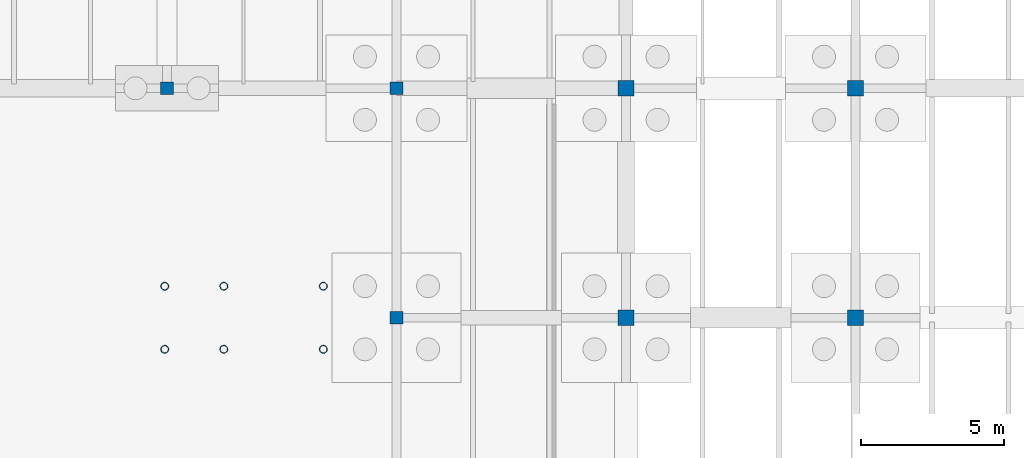
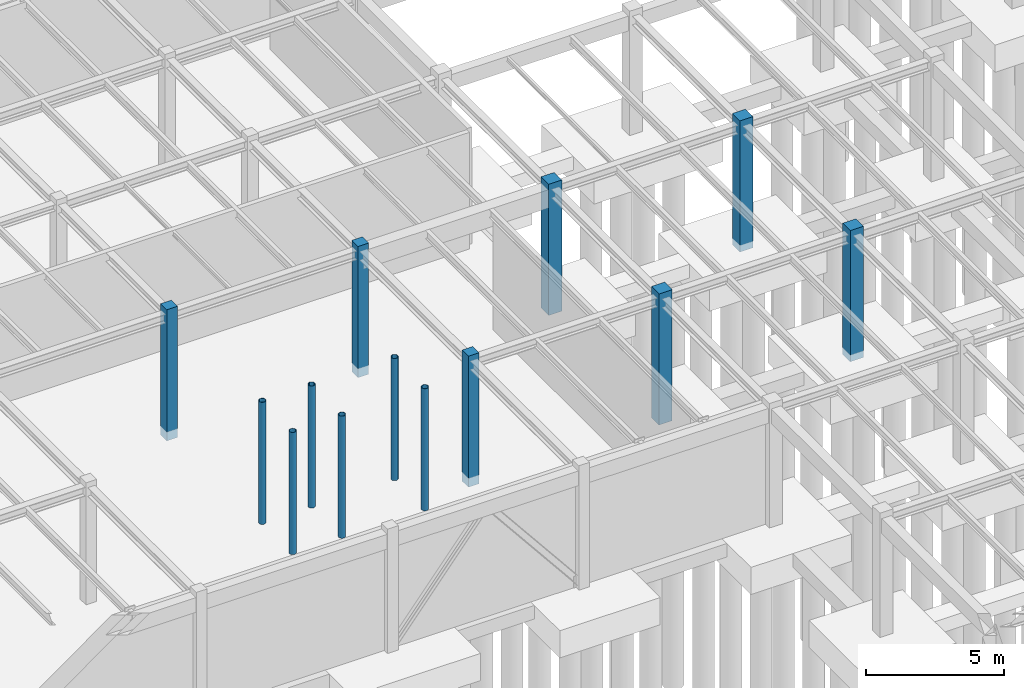
# One storey, part 20 of 71: 13 columns.
"""IFC4 building model written with IfcOpenShell, lengths in metres."""

import ifcopenshell
import ifcopenshell.guid

model = None  # the IFC model being written
_history = None  # IfcOwnerHistory: only IFC2X3 demands one
_inside = {}  # id of a spatial element -> (the spatial element, [elements in it])
_under = {}  # id of a project, library or spatial element -> (it, [spatial elements below it])
_declared = {}  # id of a project -> (the project, [libraries it declares])
_typed = {}  # id of a type object -> (the type object, [elements of that type])
_made_of = {}  # id of a material, layer set ... -> (it, [elements and type objects made of it])


def new_model(schema):
    """Start an empty IFC model of exactly this schema.

    Asked for "IFC4X3", IfcOpenShell would pick the latest addendum, in which some entities
    have other attributes; the version numbers below select the first issue.
    IFC2X3 requires an IfcOwnerHistory on every rooted entity: one is made here for all.
    """
    global model, _history
    if schema == "IFC4X3":
        model = ifcopenshell.file(schema_version=(4, 3, 0, 0))
    else:
        model = ifcopenshell.file(schema=schema)
    _inside.clear()
    _under.clear()
    _declared.clear()
    _typed.clear()
    _made_of.clear()
    _history = None
    if model.schema == "IFC2X3":
        org = make("IfcOrganization", Name="unknown")
        user = make(
            "IfcPersonAndOrganization",
            ThePerson=make("IfcPerson", FamilyName="unknown"),
            TheOrganization=org,
        )
        app = make(
            "IfcApplication",
            ApplicationDeveloper=org,
            Version="unknown",
            ApplicationFullName="unknown",
            ApplicationIdentifier="unknown",
        )
        _history = make(
            "IfcOwnerHistory",
            OwningUser=user,
            OwningApplication=app,
            ChangeAction="ADDED",
            CreationDate=0,
        )
    return model


def make(cls, **values):
    """One entity of the class cls with the attributes given. An attribute that is None is left unset."""
    return model.create_entity(
        cls, **{name: value for name, value in values.items() if value is not None}
    )


def rooted(cls, **values):
    """An entity with a GlobalId (a new one), such as an element, a storey or a relation."""
    return make(cls, GlobalId=ifcopenshell.guid.new(), OwnerHistory=_history, **values)


def si_unit(unit_type, name, prefix=None):
    """IfcSIUnit, for example si_unit("LENGTHUNIT", "METRE", prefix="MILLI")."""
    return make("IfcSIUnit", UnitType=unit_type, Prefix=prefix, Name=name)


def assignment(units):
    """IfcUnitAssignment: the units of a project."""
    return None if units is None else make("IfcUnitAssignment", Units=units)


def point(xyz):
    """IfcCartesianPoint."""
    return None if xyz is None else make("IfcCartesianPoint", Coordinates=xyz)


def direction(xyz):
    """IfcDirection."""
    return None if xyz is None else make("IfcDirection", DirectionRatios=xyz)


def frame(location, z_axis=None, x_axis=None):
    """IfcAxis2Placement3D, a coordinate frame: its origin and axes. An axis left out is left unset."""
    return make(
        "IfcAxis2Placement3D",
        Location=point(location),
        Axis=direction(z_axis),
        RefDirection=direction(x_axis),
    )


def frame_2d(location, x_axis=None):
    """IfcAxis2Placement2D, a coordinate frame in the plane: its origin and x axis."""
    return make(
        "IfcAxis2Placement2D", Location=point(location), RefDirection=direction(x_axis)
    )


def origin():
    """The frame at (0, 0, 0) with its axes left unset."""
    return frame((0.0, 0.0, 0.0))


def origin_2d():
    """The frame at (0, 0) in the plane with its x axis left unset."""
    return frame_2d((0.0, 0.0))


def place(relative_to, where):
    """IfcLocalPlacement: puts the frame where relative to a parent placement (None: the world)."""
    return make(
        "IfcLocalPlacement", PlacementRelTo=relative_to, RelativePlacement=where
    )


def context(
    kind, dimensions, precision=None, world=None, true_north=None, identifier=None
):
    """IfcGeometricRepresentationContext, for example the 3D "Model" context."""
    return make(
        "IfcGeometricRepresentationContext",
        ContextIdentifier=identifier,
        ContextType=kind,
        CoordinateSpaceDimension=dimensions,
        Precision=precision,
        WorldCoordinateSystem=world,
        TrueNorth=true_north,
    )


def subcontext(parent, identifier, kind, view, scale=None):
    """IfcGeometricRepresentationSubContext, for example "Body" below "Model"."""
    return make(
        "IfcGeometricRepresentationSubContext",
        ContextIdentifier=identifier,
        ContextType=kind,
        ParentContext=parent,
        TargetScale=scale,
        TargetView=view,
    )


def project(units=None, contexts=None):
    """IfcProject with its units and contexts."""
    return rooted(
        "IfcProject",
        Name="project",
        RepresentationContexts=contexts,
        UnitsInContext=assignment(units),
    )


def spatial(cls, under=None, at=None, **own):
    """A site, building, storey or space (cls), placed at a placement, below another one or the project."""
    s = rooted(cls, ObjectPlacement=at, **own)
    if under is not None:
        _under.setdefault(under.id(), (under, []))[1].append(s)
    return s


def profile(cls, at=None, kind="AREA", **sizes):
    """A parametric profile (cls). Its sizes go by their IFC names, for example OverallWidth=200.0."""
    return make(cls, ProfileType=kind, Position=at, **sizes)


def rectangle(**sizes):
    """IfcRectangleProfileDef."""
    return profile("IfcRectangleProfileDef", **sizes)


def hollow_circle(**sizes):
    """IfcCircleHollowProfileDef."""
    return profile("IfcCircleHollowProfileDef", **sizes)


def extrude(swept, where, along, depth):
    """IfcExtrudedAreaSolid: the profile swept, set in the frame where, extruded along a direction by depth."""
    return make(
        "IfcExtrudedAreaSolid",
        SweptArea=swept,
        Position=where,
        ExtrudedDirection=direction(along),
        Depth=depth,
    )


def shape(context_of_items, identifier, shape_type, items):
    """IfcShapeRepresentation: the items that make up one representation, for example the "Body"."""
    return make(
        "IfcShapeRepresentation",
        ContextOfItems=context_of_items,
        RepresentationIdentifier=identifier,
        RepresentationType=shape_type,
        Items=items,
    )


def material(Name=None, Category=None):
    """IfcMaterial."""
    return make("IfcMaterial", Name=Name, Category=Category)


def material_profile(
    of_material, cross_section, Name=None, Category=None, Priority=None
):
    """IfcMaterialProfile: a cross section and its material."""
    return make(
        "IfcMaterialProfile",
        Name=Name,
        Material=of_material,
        Profile=cross_section,
        Priority=Priority,
        Category=Category,
    )


def profile_set(profiles, Name=None, composite=None):
    """IfcMaterialProfileSet."""
    return make(
        "IfcMaterialProfileSet",
        Name=Name,
        MaterialProfiles=profiles,
        CompositeProfile=composite,
    )


def made_of(thing, what):
    """Note that an element or type object is made of a material, layer set ...; save() writes the relation."""
    if what is not None:
        _made_of.setdefault(what.id(), (what, []))[1].append(thing)
    return thing


def type_object(cls, material=None, **own):
    """A type object (cls), such as IfcWallType, which elements share."""
    return made_of(rooted(cls, **own), material)


def element(
    cls,
    number,
    at=None,
    inside=None,
    cuts=None,
    type_object=None,
    material=None,
    context=None,
    identifier="Body",
    shape_type=None,
    held_by="IfcProductDefinitionShape",
    body=None,
    shapes=None,
    **own,
):
    """One element of the class cls, such as IfcWall. Its Tag is "e" and its number.

    at: its placement. inside: the storey or other place that contains it. cuts: it is an
    opening in that element (IfcRelVoidsElement). A single representation is given by context,
    identifier, shape_type and body (its items); several are given by shapes. held_by: the class
    of the entity that holds the representations. save() writes the other relations.
    """
    e = rooted(cls, Tag="e%d" % number, ObjectPlacement=at, **own)
    if body is not None:
        shapes = [shape(context, identifier, shape_type, body)]
    if shapes is not None:
        e.Representation = make(held_by, Representations=shapes)
    if inside is not None:
        _inside.setdefault(inside.id(), (inside, []))[1].append(e)
    if cuts is not None:
        rooted(
            "IfcRelVoidsElement", RelatingBuildingElement=cuts, RelatedOpeningElement=e
        )
    if type_object is not None:
        _typed.setdefault(type_object.id(), (type_object, []))[1].append(e)
    return made_of(e, material)


def aggregate(whole, parts):
    """IfcRelAggregates: a whole, such as a stair, and the parts it consists of."""
    return rooted("IfcRelAggregates", RelatingObject=whole, RelatedObjects=parts)


def save(model, path):
    """Write the relations noted so far, then the file.

    IfcRelAggregates (storeys below a building ...), IfcRelContainedInSpatialStructure (elements
    in a storey), IfcRelDefinesByType, IfcRelAssociatesMaterial and IfcRelDeclares: one each for
    every whole, place, type object, material and project.
    """
    for whole, parts in _under.values():
        aggregate(whole, parts)
    for where, things in _inside.values():
        rooted(
            "IfcRelContainedInSpatialStructure",
            RelatedElements=things,
            RelatingStructure=where,
        )
    for kind, things in _typed.values():
        rooted("IfcRelDefinesByType", RelatedObjects=things, RelatingType=kind)
    for what, things in _made_of.values():
        rooted("IfcRelAssociatesMaterial", RelatedObjects=things, RelatingMaterial=what)
    for by, libraries in _declared.values():
        rooted("IfcRelDeclares", RelatingContext=by, RelatedDefinitions=libraries)
    model.write(path)


model = new_model("IFC4")

# Units and contexts
model_context = context("Model", 3, precision=1e-05, world=origin(), true_north=direction((0.0, 1.0)))
body_context = subcontext(model_context, "Body", "Model", "MODEL_VIEW")
ifc_project = project(units=[si_unit("LENGTHUNIT", "METRE"), si_unit("AREAUNIT", "SQUARE_METRE"), si_unit("VOLUMEUNIT", "CUBIC_METRE"), si_unit("PLANEANGLEUNIT", "RADIAN"), si_unit("MASSUNIT", "GRAM", prefix="KILO")], contexts=[model_context])

# Site, building, storey
site_placement = place(None, origin())
site = spatial("IfcSite", under=ifc_project, at=site_placement, CompositionType="ELEMENT")
building_placement = place(site_placement, origin())
building = spatial("IfcBuilding", under=site, at=building_placement, Name="Sundkrona Museum", CompositionType="ELEMENT")
storey_placement = place(building_placement, frame((0.0, 0.0, -5.39990234375)))
storey = spatial("IfcBuildingStorey", under=building, at=storey_placement, Name="B1", CompositionType="ELEMENT", Elevation=-5.39990234375)

# Columns
ifc_material_1 = material(Name="Steel S355J2", Category="steel")
ifc_material_profile_1 = material_profile(ifc_material_1, hollow_circle(Radius=0.136474609375, WallThickness=0.012451171875, at=origin_2d()), Name="CHS 273.0x12.5")
ifc_profile_set_1 = profile_set([ifc_material_profile_1], Name="Steel S355J2")
column_type_1 = type_object("IfcColumnType", Name="C-CHS273", PredefinedType="COLUMN", material=ifc_profile_set_1)
for number, where, z_axis, x_axis, name in (
    (1, (63.919921875, 84.89990234375, 0.0), (0.0, 0.0, 1.0), (1.0, 0.0, 0.0), "B1 Feature Stair FS-6 Column S1-1"),
    (2, (63.919921875, 87.10009765625, 0.0), (0.0, 0.0, 1.0), (1.0, 0.0, 0.0), "B1 Feature Stair FS-6 Column S1-2"),
    (3, (65.97998046875, 84.89990234375, 0.0), (0.0, 0.0, 1.0), (1.0, 0.0, 0.0), "B1 Feature Stair FS-6 Column S2-1"),
    (4, (65.97998046875, 87.10009765625, 0.0), (0.0, 0.0, 1.0), (1.0, 0.0, 0.0), "B1 Feature Stair FS-6 Column S2-2"),
    (5, (69.449951171875, 84.89990234375, 0.0), (0.0, 0.0, 1.0), (1.0, 0.0, 0.0), "B1 Feature Stair FS-6 Column S3-1"),
    (6, (69.449951171875, 87.10009765625, 0.0), (0.0, 0.0, 1.0), (1.0, 0.0, 0.0), "B1 Feature Stair FS-6 Column S3-2"),
):
    element("IfcColumn", number, at=place(storey_placement, frame(where, z_axis=z_axis, x_axis=x_axis)), inside=storey, type_object=column_type_1, Name=name, PredefinedType="COLUMN", context=body_context, shape_type="SweptSolid", body=[
        extrude(hollow_circle(Radius=0.136474609375, WallThickness=0.012451171875, at=origin_2d()), origin(), (0.0, 0.0, 1.0), 5.39990234375),
    ])
ifc_material_2 = material(Name="Concrete C40/50", Category="concrete")
ifc_material_profile_2 = material_profile(ifc_material_2, rectangle(XDim=0.449951171875, YDim=0.449951171875, at=origin_2d()), Name="RC 450x450")
ifc_profile_set_2 = profile_set([ifc_material_profile_2], Name="Concrete C40/50")
column_type_2 = type_object("IfcColumnType", Name="C-RC450", PredefinedType="COLUMN", material=ifc_profile_set_2)
for number, where, z_axis, x_axis, name in (
    (7, (64.0, 94.0, -0.400146484375), (0.0, 0.0, 1.0), (1.0, 0.0, 0.0), "B1 Column N/9"),
    (8, (72.0, 86.0, -0.400146484375), (0.0, 0.0, 1.0), (1.0, 0.0, 0.0), "B1 Column M/10"),
    (9, (72.0, 94.0, -0.400146484375), (0.0, 0.0, 1.0), (1.0, 0.0, 0.0), "B1 Column N/10"),
):
    element("IfcColumn", number, at=place(storey_placement, frame(where, z_axis=z_axis, x_axis=x_axis)), inside=storey, type_object=column_type_2, Name=name, PredefinedType="COLUMN", context=body_context, shape_type="SweptSolid", body=[
        extrude(rectangle(XDim=0.449951171875, YDim=0.449951171875, at=origin_2d()), origin(), (0.0, 0.0, 1.0), 5.800048828125),
    ])
ifc_material_profile_3 = material_profile(ifc_material_2, rectangle(XDim=0.550048828125, YDim=0.550048828125, at=origin_2d()), Name="RC 550x550")
ifc_profile_set_3 = profile_set([ifc_material_profile_3], Name="Concrete C40/50")
column_type_3 = type_object("IfcColumnType", Name="C-RC550", PredefinedType="COLUMN", material=ifc_profile_set_3)
for number, where, z_axis, x_axis, name in (
    (10, (80.0, 86.0, -0.400146484375), (0.0, 0.0, 1.0), (1.0, 0.0, 0.0), "B1 Column M/11"),
    (11, (80.0, 94.0, -0.400146484375), (0.0, 0.0, 1.0), (1.0, 0.0, 0.0), "B1 Column N/11"),
    (12, (88.0, 86.0, -0.400146484375), (0.0, 0.0, 1.0), (1.0, 0.0, 0.0), "B1 Column M/12"),
    (13, (88.0, 94.0, -0.400146484375), (0.0, 0.0, 1.0), (1.0, 0.0, 0.0), "B1 Column N/12"),
):
    element("IfcColumn", number, at=place(storey_placement, frame(where, z_axis=z_axis, x_axis=x_axis)), inside=storey, type_object=column_type_3, Name=name, PredefinedType="COLUMN", context=body_context, shape_type="SweptSolid", body=[
        extrude(rectangle(XDim=0.550048828125, YDim=0.550048828125, at=origin_2d()), origin(), (0.0, 0.0, 1.0), 5.800048828125),
    ])

save(model, "model.ifc")
